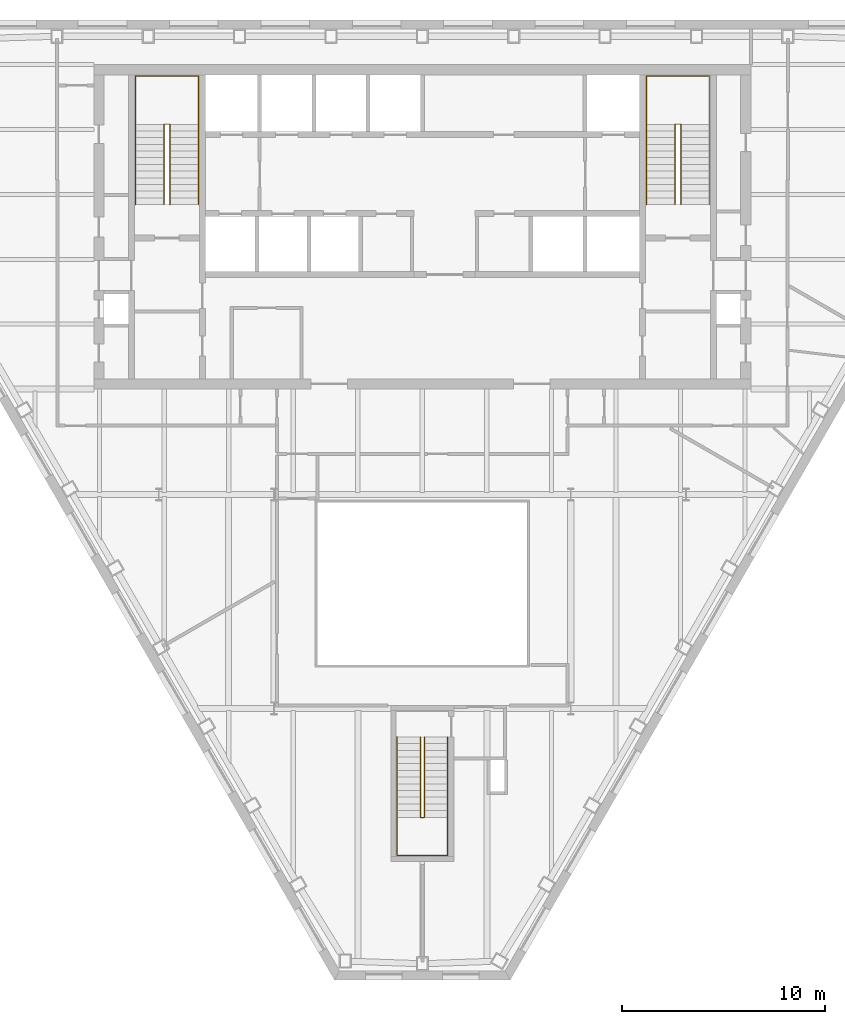
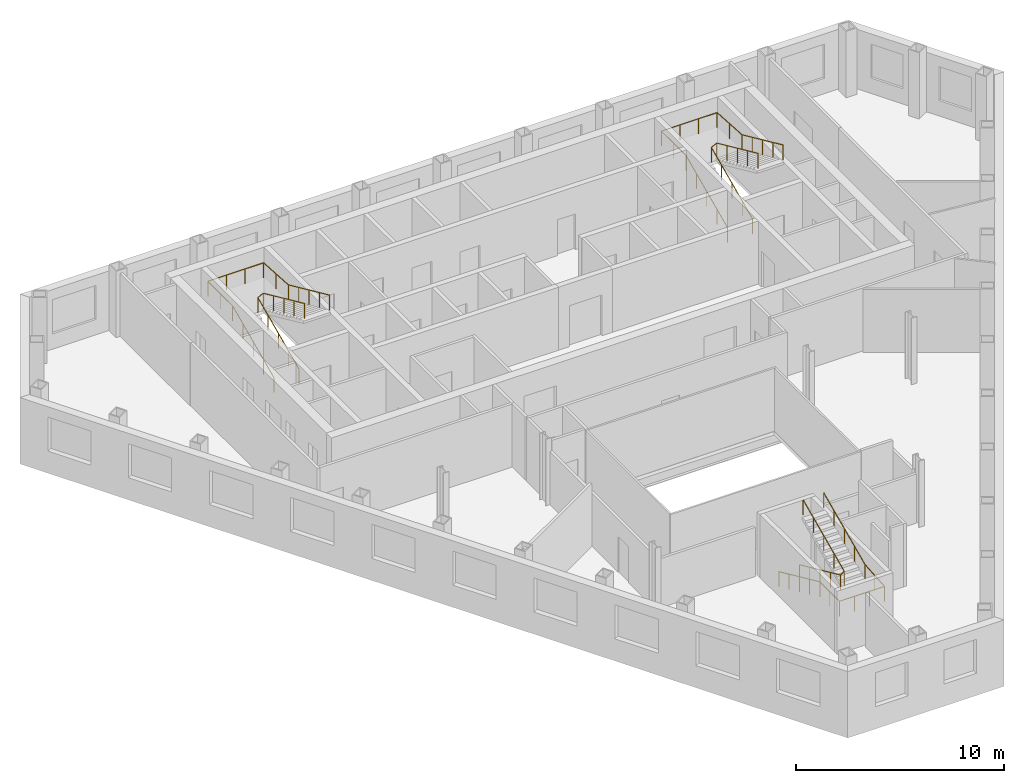
# One storey, part 10 of 10: 6 railings.
"""IFC4 building model written with IfcOpenShell, lengths in metres."""

from ifc_helpers import new_model, si_unit, direction, frame, origin, origin_2d, place, context, subcontext, project, spatial, circle, extrude, material, type_object, element, save


model = new_model("IFC4")

# Units and contexts
model_context = context("Model", 3, precision=1e-05, world=origin(), true_north=direction((0.0, 1.0)))
body_context = subcontext(model_context, "Body", "Model", "MODEL_VIEW")
ifc_project = project(units=[si_unit("LENGTHUNIT", "METRE"), si_unit("AREAUNIT", "SQUARE_METRE"), si_unit("VOLUMEUNIT", "CUBIC_METRE"), si_unit("PLANEANGLEUNIT", "RADIAN"), si_unit("MASSUNIT", "GRAM", prefix="KILO")], contexts=[model_context])

# Site, building, storey
site_placement = place(None, origin())
site = spatial("IfcSite", under=ifc_project, at=site_placement, CompositionType="ELEMENT")
building_placement = place(site_placement, origin())
building = spatial("IfcBuilding", under=site, at=building_placement, Name="Njiva Tower", CompositionType="ELEMENT")
storey_placement = place(building_placement, frame((0.0, 0.0, 155.4)))
storey = spatial("IfcBuildingStorey", under=building, at=storey_placement, Name="L33", CompositionType="ELEMENT", Elevation=155.4)

# Railings
ifc_material = material(Name="Stainless steel", Category="steel")
railing_type = type_object("IfcRailingType", Name="RL1 Stair handrail 900", PredefinedType="HANDRAIL", material=ifc_material)
railing_1_placement = place(storey_placement, frame((-14.15, 11.1, 0.15)))
element("IfcRailing", 1, at=railing_1_placement, inside=storey, type_object=railing_type, Name="Stair A handrail", PredefinedType="HANDRAIL", context=body_context, shape_type="SweptSolid", body=[
    extrude(circle(Radius=0.024, at=origin_2d()), frame((0.0, 0.0, 0.876), z_axis=(0.0, 0.910366477463, 0.413802944301), x_axis=(-1.0, 0.0, 0.0)), (0.0, 0.0, 1.0), 4.3499),
    extrude(circle(Radius=0.024, at=origin_2d()), frame((0.0, 3.96, 2.676), z_axis=(0.0, 1.0, 0.0), x_axis=(-1.0, 0.0, 0.0)), (0.0, 0.0, 1.0), 2.39),
    extrude(circle(Radius=0.024, at=origin_2d()), frame((0.0, 6.35, 2.676), z_axis=(1.0, 0.0, 0.0), x_axis=(0.0, 1.0, 0.0)), (0.0, 0.0, 1.0), 3.1),
    extrude(circle(Radius=0.024, at=origin_2d()), frame((3.1, 6.35, 2.676), z_axis=(0.0, -0.998036296047, 0.062638261258), x_axis=(1.0, 0.0, 0.0)), (0.0, 0.0, 1.0), 2.3947),
    extrude(circle(Radius=0.024, at=origin_2d()), frame((3.1, 3.96, 2.826), z_axis=(0.0, -0.910366477463, 0.413802944301), x_axis=(1.0, 0.0, 0.0)), (0.0, 0.0, 1.0), 4.3499),
    extrude(circle(Radius=0.021, at=origin_2d()), origin(), (0.0, 0.0, 1.0), 0.852),
    extrude(circle(Radius=0.021, at=origin_2d()), frame((0.0, 0.99, 0.45)), (0.0, 0.0, 1.0), 0.852),
    extrude(circle(Radius=0.021, at=origin_2d()), frame((0.0, 1.98, 0.9)), (0.0, 0.0, 1.0), 0.852),
    extrude(circle(Radius=0.021, at=origin_2d()), frame((0.0, 2.97, 1.35)), (0.0, 0.0, 1.0), 0.852),
    extrude(circle(Radius=0.021, at=origin_2d()), frame((0.0, 3.96, 1.8)), (0.0, 0.0, 1.0), 0.852),
    extrude(circle(Radius=0.021, at=origin_2d()), frame((0.0, 5.155, 1.8)), (0.0, 0.0, 1.0), 0.852),
    extrude(circle(Radius=0.021, at=origin_2d()), frame((0.0, 6.35, 1.8)), (0.0, 0.0, 1.0), 0.852),
    extrude(circle(Radius=0.021, at=origin_2d()), frame((1.0333, 6.35, 1.8)), (0.0, 0.0, 1.0), 0.852),
    extrude(circle(Radius=0.021, at=origin_2d()), frame((2.0667, 6.35, 1.8)), (0.0, 0.0, 1.0), 0.852),
    extrude(circle(Radius=0.021, at=origin_2d()), frame((3.1, 6.35, 1.8)), (0.0, 0.0, 1.0), 0.852),
    extrude(circle(Radius=0.021, at=origin_2d()), frame((3.1, 5.155, 1.875)), (0.0, 0.0, 1.0), 0.852),
    extrude(circle(Radius=0.021, at=origin_2d()), frame((3.1, 3.96, 1.95)), (0.0, 0.0, 1.0), 0.852),
    extrude(circle(Radius=0.021, at=origin_2d()), frame((3.1, 2.97, 2.4)), (0.0, 0.0, 1.0), 0.852),
    extrude(circle(Radius=0.021, at=origin_2d()), frame((3.1, 1.98, 2.85)), (0.0, 0.0, 1.0), 0.852),
    extrude(circle(Radius=0.021, at=origin_2d()), frame((3.1, 0.99, 3.3)), (0.0, 0.0, 1.0), 0.852),
    extrude(circle(Radius=0.021, at=origin_2d()), frame((3.1, 0.0, 3.75)), (0.0, 0.0, 1.0), 0.852),
])
railing_2_placement = place(storey_placement, frame((-12.75, 11.1, 0.15)))
element("IfcRailing", 2, at=railing_2_placement, inside=storey, type_object=railing_type, Name="Stair A handrail", PredefinedType="HANDRAIL", context=body_context, shape_type="SweptSolid", body=[
    extrude(circle(Radius=0.024, at=origin_2d()), frame((0.0, 0.0, 0.876), z_axis=(0.0, 0.910366477463, 0.413802944301), x_axis=(-1.0, 0.0, 0.0)), (0.0, 0.0, 1.0), 4.3499),
    extrude(circle(Radius=0.024, at=origin_2d()), frame((0.0, 3.96, 2.676), z_axis=(0.894427191, 0.0, 0.4472135955), x_axis=(0.0, 1.0, 0.0)), (0.0, 0.0, 1.0), 0.3354),
    extrude(circle(Radius=0.024, at=origin_2d()), frame((0.3, 3.96, 2.826), z_axis=(0.0, -0.910366477463, 0.413802944301), x_axis=(1.0, 0.0, 0.0)), (0.0, 0.0, 1.0), 4.3499),
    extrude(circle(Radius=0.021, at=origin_2d()), origin(), (0.0, 0.0, 1.0), 0.852),
    extrude(circle(Radius=0.021, at=origin_2d()), frame((0.0, 0.99, 0.45)), (0.0, 0.0, 1.0), 0.852),
    extrude(circle(Radius=0.021, at=origin_2d()), frame((0.0, 1.98, 0.9)), (0.0, 0.0, 1.0), 0.852),
    extrude(circle(Radius=0.021, at=origin_2d()), frame((0.0, 2.97, 1.35)), (0.0, 0.0, 1.0), 0.852),
    extrude(circle(Radius=0.021, at=origin_2d()), frame((0.0, 3.96, 1.8)), (0.0, 0.0, 1.0), 0.852),
    extrude(circle(Radius=0.021, at=origin_2d()), frame((0.3, 3.96, 1.95)), (0.0, 0.0, 1.0), 0.852),
    extrude(circle(Radius=0.021, at=origin_2d()), frame((0.3, 2.97, 2.4)), (0.0, 0.0, 1.0), 0.852),
    extrude(circle(Radius=0.021, at=origin_2d()), frame((0.3, 1.98, 2.85)), (0.0, 0.0, 1.0), 0.852),
    extrude(circle(Radius=0.021, at=origin_2d()), frame((0.3, 0.99, 3.3)), (0.0, 0.0, 1.0), 0.852),
    extrude(circle(Radius=0.021, at=origin_2d()), frame((0.3, 0.0, 3.75)), (0.0, 0.0, 1.0), 0.852),
])
railing_3_placement = place(storey_placement, frame((11.05, 11.1, 0.15)))
element("IfcRailing", 3, at=railing_3_placement, inside=storey, type_object=railing_type, Name="Stair B handrail", PredefinedType="HANDRAIL", context=body_context, shape_type="SweptSolid", body=[
    extrude(circle(Radius=0.024, at=origin_2d()), frame((0.0, 0.0, 0.876), z_axis=(0.0, 0.910366477463, 0.413802944301), x_axis=(-1.0, 0.0, 0.0)), (0.0, 0.0, 1.0), 4.3499),
    extrude(circle(Radius=0.024, at=origin_2d()), frame((0.0, 3.96, 2.676), z_axis=(0.0, 1.0, 0.0), x_axis=(-1.0, 0.0, 0.0)), (0.0, 0.0, 1.0), 2.39),
    extrude(circle(Radius=0.024, at=origin_2d()), frame((0.0, 6.35, 2.676), z_axis=(1.0, 0.0, 0.0), x_axis=(0.0, 1.0, 0.0)), (0.0, 0.0, 1.0), 3.1),
    extrude(circle(Radius=0.024, at=origin_2d()), frame((3.1, 6.35, 2.676), z_axis=(0.0, -0.998036296047, 0.062638261258), x_axis=(1.0, 0.0, 0.0)), (0.0, 0.0, 1.0), 2.3947),
    extrude(circle(Radius=0.024, at=origin_2d()), frame((3.1, 3.96, 2.826), z_axis=(0.0, -0.910366477463, 0.413802944301), x_axis=(1.0, 0.0, 0.0)), (0.0, 0.0, 1.0), 4.3499),
    extrude(circle(Radius=0.021, at=origin_2d()), origin(), (0.0, 0.0, 1.0), 0.852),
    extrude(circle(Radius=0.021, at=origin_2d()), frame((0.0, 0.99, 0.45)), (0.0, 0.0, 1.0), 0.852),
    extrude(circle(Radius=0.021, at=origin_2d()), frame((0.0, 1.98, 0.9)), (0.0, 0.0, 1.0), 0.852),
    extrude(circle(Radius=0.021, at=origin_2d()), frame((0.0, 2.97, 1.35)), (0.0, 0.0, 1.0), 0.852),
    extrude(circle(Radius=0.021, at=origin_2d()), frame((0.0, 3.96, 1.8)), (0.0, 0.0, 1.0), 0.852),
    extrude(circle(Radius=0.021, at=origin_2d()), frame((0.0, 5.155, 1.8)), (0.0, 0.0, 1.0), 0.852),
    extrude(circle(Radius=0.021, at=origin_2d()), frame((0.0, 6.35, 1.8)), (0.0, 0.0, 1.0), 0.852),
    extrude(circle(Radius=0.021, at=origin_2d()), frame((1.0333, 6.35, 1.8)), (0.0, 0.0, 1.0), 0.852),
    extrude(circle(Radius=0.021, at=origin_2d()), frame((2.0667, 6.35, 1.8)), (0.0, 0.0, 1.0), 0.852),
    extrude(circle(Radius=0.021, at=origin_2d()), frame((3.1, 6.35, 1.8)), (0.0, 0.0, 1.0), 0.852),
    extrude(circle(Radius=0.021, at=origin_2d()), frame((3.1, 5.155, 1.875)), (0.0, 0.0, 1.0), 0.852),
    extrude(circle(Radius=0.021, at=origin_2d()), frame((3.1, 3.96, 1.95)), (0.0, 0.0, 1.0), 0.852),
    extrude(circle(Radius=0.021, at=origin_2d()), frame((3.1, 2.97, 2.4)), (0.0, 0.0, 1.0), 0.852),
    extrude(circle(Radius=0.021, at=origin_2d()), frame((3.1, 1.98, 2.85)), (0.0, 0.0, 1.0), 0.852),
    extrude(circle(Radius=0.021, at=origin_2d()), frame((3.1, 0.99, 3.3)), (0.0, 0.0, 1.0), 0.852),
    extrude(circle(Radius=0.021, at=origin_2d()), frame((3.1, 0.0, 3.75)), (0.0, 0.0, 1.0), 0.852),
])
railing_4_placement = place(storey_placement, frame((12.45, 11.1, 0.15)))
element("IfcRailing", 4, at=railing_4_placement, inside=storey, type_object=railing_type, Name="Stair B handrail", PredefinedType="HANDRAIL", context=body_context, shape_type="SweptSolid", body=[
    extrude(circle(Radius=0.024, at=origin_2d()), frame((0.0, 0.0, 0.876), z_axis=(0.0, 0.910366477463, 0.413802944301), x_axis=(-1.0, 0.0, 0.0)), (0.0, 0.0, 1.0), 4.3499),
    extrude(circle(Radius=0.024, at=origin_2d()), frame((0.0, 3.96, 2.676), z_axis=(0.894427191, 0.0, 0.4472135955), x_axis=(0.0, 1.0, 0.0)), (0.0, 0.0, 1.0), 0.3354),
    extrude(circle(Radius=0.024, at=origin_2d()), frame((0.3, 3.96, 2.826), z_axis=(0.0, -0.910366477463, 0.413802944301), x_axis=(1.0, 0.0, 0.0)), (0.0, 0.0, 1.0), 4.3499),
    extrude(circle(Radius=0.021, at=origin_2d()), origin(), (0.0, 0.0, 1.0), 0.852),
    extrude(circle(Radius=0.021, at=origin_2d()), frame((0.0, 0.99, 0.45)), (0.0, 0.0, 1.0), 0.852),
    extrude(circle(Radius=0.021, at=origin_2d()), frame((0.0, 1.98, 0.9)), (0.0, 0.0, 1.0), 0.852),
    extrude(circle(Radius=0.021, at=origin_2d()), frame((0.0, 2.97, 1.35)), (0.0, 0.0, 1.0), 0.852),
    extrude(circle(Radius=0.021, at=origin_2d()), frame((0.0, 3.96, 1.8)), (0.0, 0.0, 1.0), 0.852),
    extrude(circle(Radius=0.021, at=origin_2d()), frame((0.3, 3.96, 1.95)), (0.0, 0.0, 1.0), 0.852),
    extrude(circle(Radius=0.021, at=origin_2d()), frame((0.3, 2.97, 2.4)), (0.0, 0.0, 1.0), 0.852),
    extrude(circle(Radius=0.021, at=origin_2d()), frame((0.3, 1.98, 2.85)), (0.0, 0.0, 1.0), 0.852),
    extrude(circle(Radius=0.021, at=origin_2d()), frame((0.3, 0.99, 3.3)), (0.0, 0.0, 1.0), 0.852),
    extrude(circle(Radius=0.021, at=origin_2d()), frame((0.3, 0.0, 3.75)), (0.0, 0.0, 1.0), 0.852),
])
railing_5_placement = place(storey_placement, frame((-1.25, -15.16, 0.15)))
element("IfcRailing", 5, at=railing_5_placement, inside=storey, type_object=railing_type, Name="Stair C handrail", PredefinedType="HANDRAIL", context=body_context, shape_type="SweptSolid", body=[
    extrude(circle(Radius=0.024, at=origin_2d()), frame((0.0, 0.0, 0.876), z_axis=(0.0, -0.910366477463, 0.413802944301), x_axis=(1.0, 0.0, 0.0)), (0.0, 0.0, 1.0), 4.3499),
    extrude(circle(Radius=0.024, at=origin_2d()), frame((0.0, -3.96, 2.676), z_axis=(0.0, -1.0, 0.0), x_axis=(1.0, 0.0, 0.0)), (0.0, 0.0, 1.0), 1.88),
    extrude(circle(Radius=0.024, at=origin_2d()), frame((0.0, -5.84, 2.676), z_axis=(1.0, 0.0, 0.0), x_axis=(0.0, 1.0, 0.0)), (0.0, 0.0, 1.0), 2.5),
    extrude(circle(Radius=0.024, at=origin_2d()), frame((2.5, -5.84, 2.676), z_axis=(0.0, 0.996832115713, 0.079534477318), x_axis=(-1.0, 0.0, 0.0)), (0.0, 0.0, 1.0), 1.886),
    extrude(circle(Radius=0.024, at=origin_2d()), frame((2.5, -3.96, 2.826), z_axis=(0.0, 0.910366477463, 0.413802944301), x_axis=(-1.0, 0.0, 0.0)), (0.0, 0.0, 1.0), 4.3499),
    extrude(circle(Radius=0.021, at=origin_2d()), origin(), (0.0, 0.0, 1.0), 0.852),
    extrude(circle(Radius=0.021, at=origin_2d()), frame((0.0, -0.99, 0.45)), (0.0, 0.0, 1.0), 0.852),
    extrude(circle(Radius=0.021, at=origin_2d()), frame((0.0, -1.98, 0.9)), (0.0, 0.0, 1.0), 0.852),
    extrude(circle(Radius=0.021, at=origin_2d()), frame((0.0, -2.97, 1.35)), (0.0, 0.0, 1.0), 0.852),
    extrude(circle(Radius=0.021, at=origin_2d()), frame((0.0, -3.96, 1.8)), (0.0, 0.0, 1.0), 0.852),
    extrude(circle(Radius=0.021, at=origin_2d()), frame((0.0, -4.9, 1.8)), (0.0, 0.0, 1.0), 0.852),
    extrude(circle(Radius=0.021, at=origin_2d()), frame((0.0, -5.84, 1.8)), (0.0, 0.0, 1.0), 0.852),
    extrude(circle(Radius=0.021, at=origin_2d()), frame((0.8333, -5.84, 1.8)), (0.0, 0.0, 1.0), 0.852),
    extrude(circle(Radius=0.021, at=origin_2d()), frame((1.6667, -5.84, 1.8)), (0.0, 0.0, 1.0), 0.852),
    extrude(circle(Radius=0.021, at=origin_2d()), frame((2.5, -5.84, 1.8)), (0.0, 0.0, 1.0), 0.852),
    extrude(circle(Radius=0.021, at=origin_2d()), frame((2.5, -4.9, 1.875)), (0.0, 0.0, 1.0), 0.852),
    extrude(circle(Radius=0.021, at=origin_2d()), frame((2.5, -3.96, 1.95)), (0.0, 0.0, 1.0), 0.852),
    extrude(circle(Radius=0.021, at=origin_2d()), frame((2.5, -2.97, 2.4)), (0.0, 0.0, 1.0), 0.852),
    extrude(circle(Radius=0.021, at=origin_2d()), frame((2.5, -1.98, 2.85)), (0.0, 0.0, 1.0), 0.852),
    extrude(circle(Radius=0.021, at=origin_2d()), frame((2.5, -0.99, 3.3)), (0.0, 0.0, 1.0), 0.852),
    extrude(circle(Radius=0.021, at=origin_2d()), frame((2.5, 0.0, 3.75)), (0.0, 0.0, 1.0), 0.852),
])
railing_6_placement = place(storey_placement, frame((-0.1, -15.16, 0.15)))
element("IfcRailing", 6, at=railing_6_placement, inside=storey, type_object=railing_type, Name="Stair C handrail", PredefinedType="HANDRAIL", context=body_context, shape_type="SweptSolid", body=[
    extrude(circle(Radius=0.024, at=origin_2d()), frame((0.0, 0.0, 0.876), z_axis=(0.0, -0.910366477463, 0.413802944301), x_axis=(1.0, 0.0, 0.0)), (0.0, 0.0, 1.0), 4.3499),
    extrude(circle(Radius=0.024, at=origin_2d()), frame((0.0, -3.96, 2.676), z_axis=(0.8, 0.0, 0.6), x_axis=(0.0, 1.0, 0.0)), (0.0, 0.0, 1.0), 0.25),
    extrude(circle(Radius=0.024, at=origin_2d()), frame((0.2, -3.96, 2.826), z_axis=(0.0, 0.910366477463, 0.413802944301), x_axis=(-1.0, 0.0, 0.0)), (0.0, 0.0, 1.0), 4.3499),
    extrude(circle(Radius=0.021, at=origin_2d()), origin(), (0.0, 0.0, 1.0), 0.852),
    extrude(circle(Radius=0.021, at=origin_2d()), frame((0.0, -0.99, 0.45)), (0.0, 0.0, 1.0), 0.852),
    extrude(circle(Radius=0.021, at=origin_2d()), frame((0.0, -1.98, 0.9)), (0.0, 0.0, 1.0), 0.852),
    extrude(circle(Radius=0.021, at=origin_2d()), frame((0.0, -2.97, 1.35)), (0.0, 0.0, 1.0), 0.852),
    extrude(circle(Radius=0.021, at=origin_2d()), frame((0.0, -3.96, 1.8)), (0.0, 0.0, 1.0), 0.852),
    extrude(circle(Radius=0.021, at=origin_2d()), frame((0.2, -3.96, 1.95)), (0.0, 0.0, 1.0), 0.852),
    extrude(circle(Radius=0.021, at=origin_2d()), frame((0.2, -2.97, 2.4)), (0.0, 0.0, 1.0), 0.852),
    extrude(circle(Radius=0.021, at=origin_2d()), frame((0.2, -1.98, 2.85)), (0.0, 0.0, 1.0), 0.852),
    extrude(circle(Radius=0.021, at=origin_2d()), frame((0.2, -0.99, 3.3)), (0.0, 0.0, 1.0), 0.852),
    extrude(circle(Radius=0.021, at=origin_2d()), frame((0.2, 0.0, 3.75)), (0.0, 0.0, 1.0), 0.852),
])

save(model, "model.ifc")
